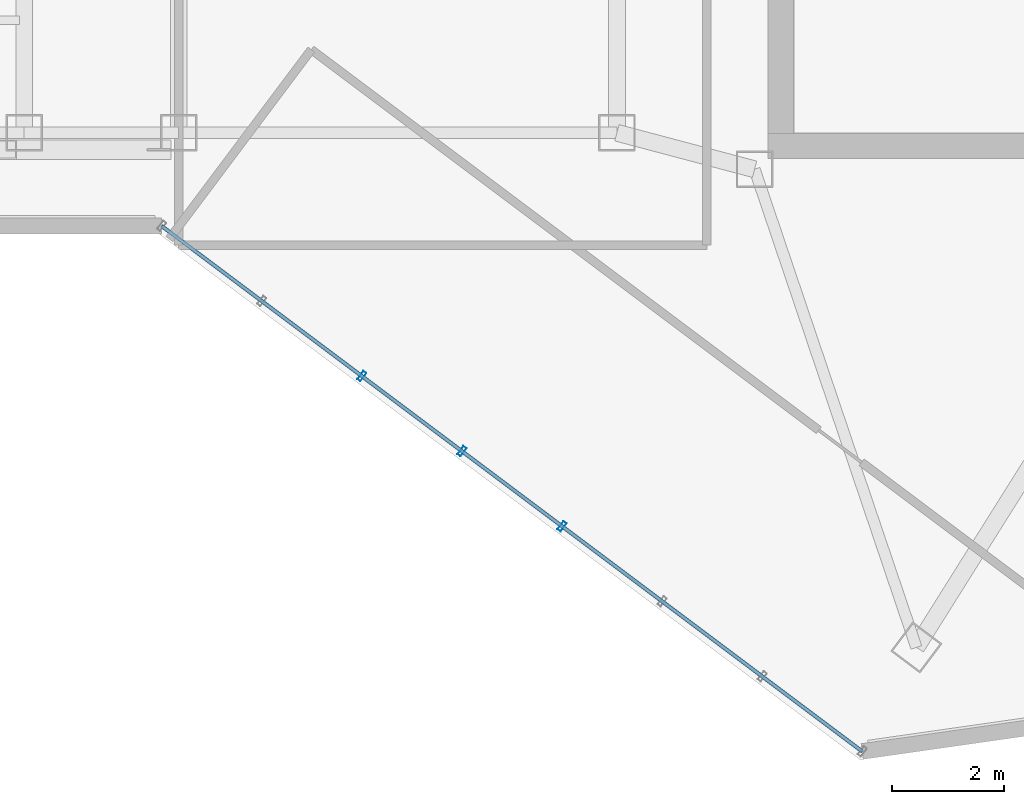
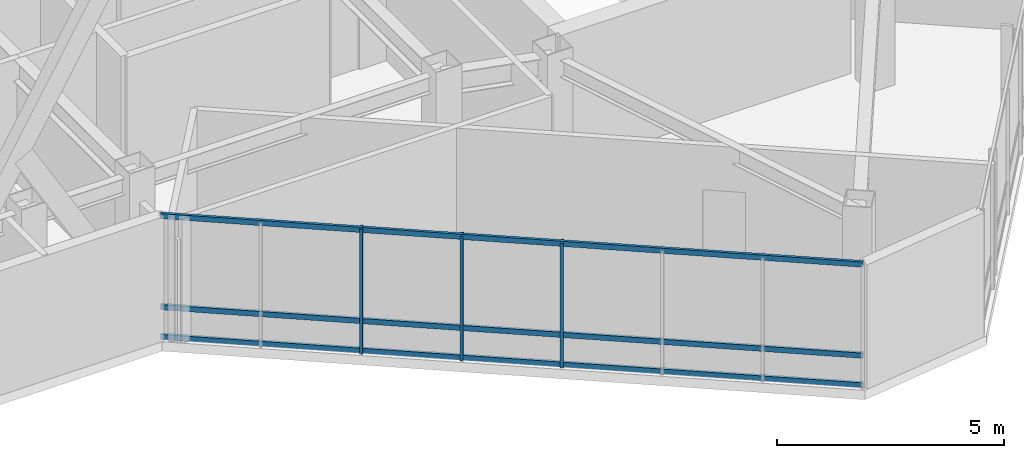
# One storey, part 2 of 22: 6 members, 1 element without a shape of its own.
"""IFC4 building model written with IfcOpenShell, lengths in metres."""

from ifc_helpers import new_model, si_unit, direction, frame, origin, origin_2d, place, context, subcontext, project, spatial, hollow_rectangle, extrude, material, layer, layer_set, material_profile, profile_set, type_object, element, aggregate, save


model = new_model("IFC4")

# Units and contexts
model_context = context("Model", 3, precision=1e-05, world=origin(), true_north=direction((0.0, 1.0)))
body_context = subcontext(model_context, "Body", "Model", "MODEL_VIEW")
ifc_project = project(units=[si_unit("LENGTHUNIT", "METRE"), si_unit("AREAUNIT", "SQUARE_METRE"), si_unit("VOLUMEUNIT", "CUBIC_METRE"), si_unit("PLANEANGLEUNIT", "RADIAN"), si_unit("MASSUNIT", "GRAM", prefix="KILO")], contexts=[model_context])

# Site, building, storey
site_placement = place(None, origin())
site = spatial("IfcSite", under=ifc_project, at=site_placement, CompositionType="ELEMENT")
building_placement = place(site_placement, origin())
building = spatial("IfcBuilding", under=site, at=building_placement, Name="Hatsunagi Terrace Concourse", CompositionType="ELEMENT")
storey_placement = place(building_placement, frame((0.0, 0.0, 239.550048828125)))
storey = spatial("IfcBuildingStorey", under=building, at=storey_placement, Name="L63", CompositionType="ELEMENT", Elevation=239.550048828125)

# Curtain wall, members
ifc_material_1 = material(Name="Anodised Aluminium Alloy 6063-T5", Category="aluminium")
ifc_layer = layer(ifc_material_1, 0.199951171875)
ifc_layer_set = layer_set([ifc_layer], Name="OfficeZone2_CW04")
curtain_wall_type = type_object("IfcCurtainWallType", Name="OfficeZone2_CW04", PredefinedType="NOTDEFINED", material=ifc_layer_set)
curtain_wall_placement = place(storey_placement, origin())
curtain_wall = element("IfcCurtainWall", 1, at=curtain_wall_placement, inside=storey, type_object=curtain_wall_type, Name="Unitised Curtain Wall CW-04 CW-L63-05", PredefinedType="NOTDEFINED")
ifc_material_2 = material(Name="Anodised Aluminium Alloy 6063-T5", Category="aluminium")
ifc_material_profile_1 = material_profile(ifc_material_2, hollow_rectangle(XDim=0.070068359375, YDim=0.179931640625, WallThickness=0.00390625, at=origin_2d()), Name="ALU-MUL-180x70x4")
ifc_profile_set_1 = profile_set([ifc_material_profile_1], Name="Anodised Aluminium Alloy 6063-T5")
member_type_1 = type_object("IfcMemberType", Name="CurtainWallMullion_180x70", PredefinedType="MULLION", material=ifc_profile_set_1)
member_1_placement = place(storey_placement, frame((32.373046875, 18.195068359375, 0.0), z_axis=(0.0, 0.0, 1.0), x_axis=(-0.800007305671, 0.599990258982, 0.0)))
member_1 = element("IfcMember", 2, at=member_1_placement, type_object=member_type_1, Name="Curtain Wall Mullion MUL-02", PredefinedType="MULLION", context=body_context, shape_type="SweptSolid", body=[
    extrude(hollow_rectangle(XDim=0.070068359375, YDim=0.179931640625, WallThickness=0.00390625, at=origin_2d()), origin(), (0.0, 0.0, 1.0), 3.349853515625),
])
member_2_placement = place(storey_placement, frame((30.592041015625, 19.531982421875, 0.0), z_axis=(0.0, 0.0, 1.0), x_axis=(-0.800007305671, 0.599990258982, 0.0)))
member_2 = element("IfcMember", 3, at=member_2_placement, type_object=member_type_1, Name="Curtain Wall Mullion MUL-02", PredefinedType="MULLION", context=body_context, shape_type="SweptSolid", body=[
    extrude(hollow_rectangle(XDim=0.070068359375, YDim=0.179931640625, WallThickness=0.00390625, at=origin_2d()), origin(), (0.0, 0.0, 1.0), 3.349853515625),
])
member_3_placement = place(storey_placement, frame((28.81005859375, 20.867919921875, 0.0), z_axis=(0.0, 0.0, 1.0), x_axis=(-0.800007305671, 0.599990258982, 0.0)))
member_3 = element("IfcMember", 4, at=member_3_placement, type_object=member_type_1, Name="Curtain Wall Mullion MUL-02", PredefinedType="MULLION", context=body_context, shape_type="SweptSolid", body=[
    extrude(hollow_rectangle(XDim=0.070068359375, YDim=0.179931640625, WallThickness=0.00390625, at=origin_2d()), origin(), (0.0, 0.0, 1.0), 3.349853515625),
])
ifc_material_3 = material(Name="Anodised Aluminium Alloy 6063-T5", Category="aluminium")
ifc_material_profile_2 = material_profile(ifc_material_3, hollow_rectangle(XDim=0.06494140625, YDim=0.139892578125, WallThickness=0.00390625, at=origin_2d()), Name="ALU-TRN-140x65x4")
ifc_profile_set_2 = profile_set([ifc_material_profile_2], Name="Anodised Aluminium Alloy 6063-T5")
member_type_2 = type_object("IfcMemberType", Name="CurtainWallTransom_140x65", PredefinedType="USERDEFINED", material=ifc_profile_set_2)
member_4_placement = place(storey_placement, frame((37.718017578125, 14.18701171875, 0.050048828125), z_axis=(-0.800005638109, 0.599992482448, 0.0), x_axis=(-0.599992482448, -0.800005638109, 0.0)))
member_4 = element("IfcMember", 5, at=member_4_placement, type_object=member_type_2, Name="Curtain Wall Transom TRN-02", ObjectType="TRANSOM", PredefinedType="USERDEFINED", context=body_context, shape_type="SweptSolid", body=[
    extrude(hollow_rectangle(XDim=0.06494140625, YDim=0.139892578125, WallThickness=0.00390625, at=origin_2d()), origin(), (0.0, 0.0, 1.0), 15.588623046875),
])
member_5_placement = place(storey_placement, frame((37.718017578125, 14.18701171875, 0.849853515625), z_axis=(-0.800005638109, 0.599992482448, 0.0), x_axis=(-0.599992482448, -0.800005638109, 0.0)))
member_5 = element("IfcMember", 6, at=member_5_placement, type_object=member_type_2, Name="Curtain Wall Transom TRN-02", ObjectType="TRANSOM", PredefinedType="USERDEFINED", context=body_context, shape_type="SweptSolid", body=[
    extrude(hollow_rectangle(XDim=0.06494140625, YDim=0.139892578125, WallThickness=0.00390625, at=origin_2d()), origin(), (0.0, 0.0, 1.0), 15.588623046875),
])
member_6_placement = place(storey_placement, frame((37.718017578125, 14.18701171875, 3.300048828125), z_axis=(-0.800005638109, 0.599992482448, 0.0), x_axis=(-0.599992482448, -0.800005638109, 0.0)))
member_6 = element("IfcMember", 7, at=member_6_placement, type_object=member_type_2, Name="Curtain Wall Transom TRN-02", ObjectType="TRANSOM", PredefinedType="USERDEFINED", context=body_context, shape_type="SweptSolid", body=[
    extrude(hollow_rectangle(XDim=0.06494140625, YDim=0.139892578125, WallThickness=0.00390625, at=origin_2d()), origin(), (0.0, 0.0, 1.0), 15.588623046875),
])
aggregate(curtain_wall, [member_1, member_2, member_3, member_4, member_5, member_6])

save(model, "model.ifc")
